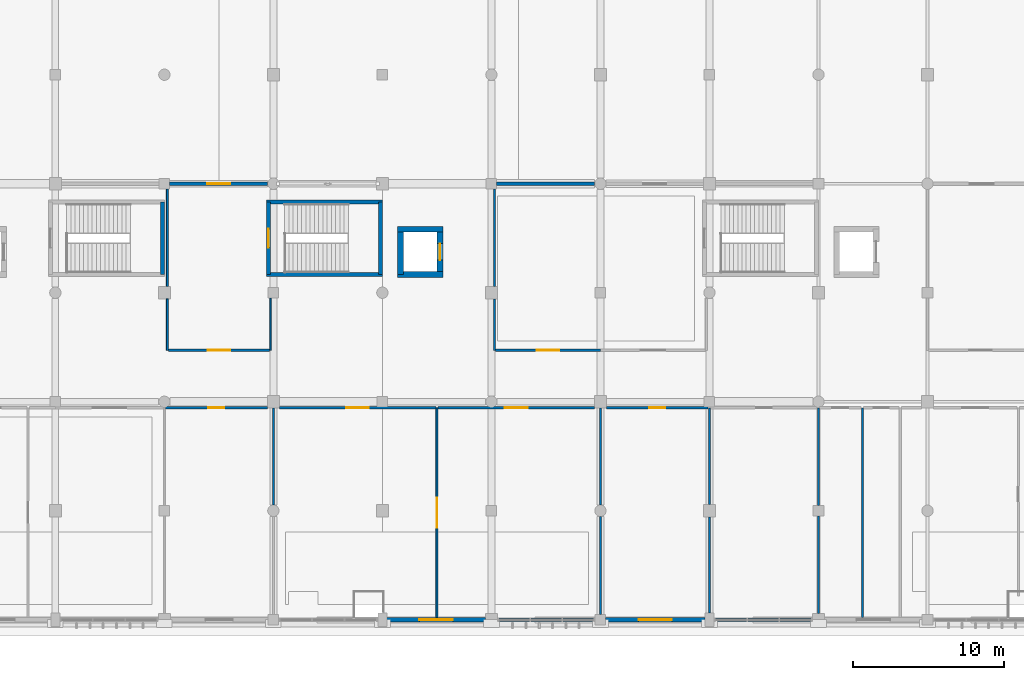
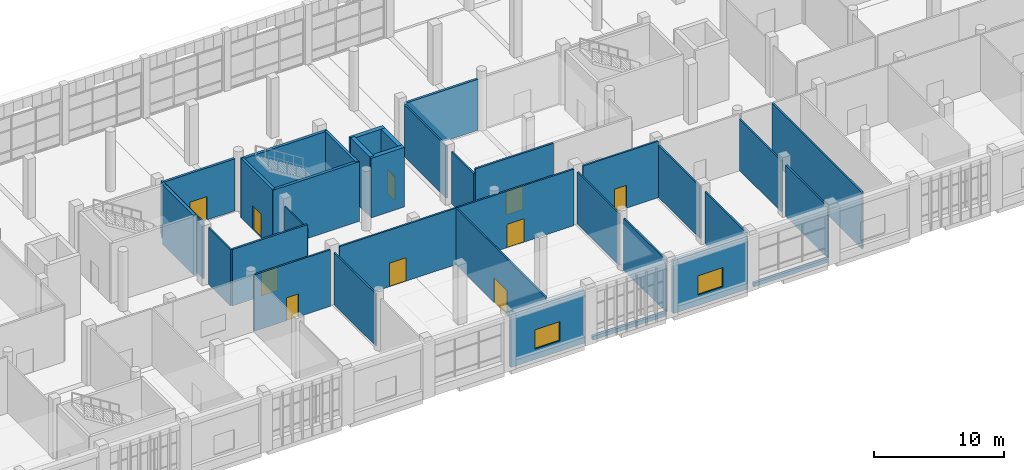
# One storey, part 53 of 80: 35 walls, 10 doors, 2 windows, 12 openings.
"""IFC4 building model written with IfcOpenShell, lengths in metres."""

from ifc_helpers import new_model, si_unit, direction, frame, frame_2d, origin, place, context, subcontext, project, spatial, rectangle, extrude, material, layer, layer_set, type_object, element, fill, save


model = new_model("IFC4")

# Units and contexts
model_context = context("Model", 3, precision=1e-05, world=origin(), true_north=direction((0.0, 1.0)))
body_context = subcontext(model_context, "Body", "Model", "MODEL_VIEW")
ifc_project = project(units=[si_unit("LENGTHUNIT", "METRE"), si_unit("AREAUNIT", "SQUARE_METRE"), si_unit("VOLUMEUNIT", "CUBIC_METRE"), si_unit("PLANEANGLEUNIT", "RADIAN"), si_unit("MASSUNIT", "GRAM", prefix="KILO")], contexts=[model_context])

# Site, building, storey
site_placement = place(None, origin())
site = spatial("IfcSite", under=ifc_project, at=site_placement, CompositionType="ELEMENT")
building_placement = place(site_placement, origin())
building = spatial("IfcBuilding", under=site, at=building_placement, Name="Sardonyx Promenade Sports Hall", CompositionType="ELEMENT")
storey_placement = place(building_placement, frame((0.0, 0.0, 5.60009765625)))
storey = spatial("IfcBuildingStorey", under=building, at=storey_placement, Name="L01", CompositionType="ELEMENT", Elevation=5.60009765625)

# Wall, opening, door
ifc_material_1 = material(Name="Concrete C40/50", Category="concrete")
ifc_layer_1 = layer(ifc_material_1, 0.3798828125)
ifc_layer_set_1 = layer_set([ifc_layer_1], Name="Wall_Core_Shear_380")
wall_type_1 = type_object("IfcWallType", Name="Wall_Core_Shear_380", PredefinedType="SHEAR", material=ifc_layer_set_1)
wall_1_placement = place(storey_placement, frame((83.0, 22.800048828125, 0.0), z_axis=(0.0, 0.0, 1.0), x_axis=(0.0, 1.0, 0.0)))
wall_1 = element("IfcWall", 1, at=wall_1_placement, inside=storey, type_object=wall_type_1, Name="Lift shaft wall LF2 L01 E", PredefinedType="SHEAR", context=body_context, shape_type="SweptSolid", body=[
    extrude(rectangle(XDim=3.0, YDim=0.3798828125, at=frame_2d((1.5, 0.0))), origin(), (0.0, 0.0, 1.0), 5.599853515625),
])
opening_1_placement = place(wall_1_placement, frame((0.949951171875, 0.0, 0.0)))
opening_1 = element("IfcOpeningElement", 2, at=opening_1_placement, cuts=wall_1, Name="Opening LD01", PredefinedType="OPENING", context=body_context, shape_type="SweptSolid", body=[
    extrude(rectangle(XDim=1.10009765625, YDim=2.199951171875, at=frame_2d((0.550048828125, 1.10009765625))), frame((0.0, 0.2, 0.0), z_axis=(0.0, -1.0, 0.0), x_axis=(1.0, 0.0, 0.0)), (0.0, 0.0, 1.0), 0.4),
])
ifc_material_2 = material(Name="Fire-rated stainless steel sliding lift door", Category="steel")
door_type_1 = type_object("IfcDoorType", Name="Door_Lift_Pass_110x220", OperationType="NOTDEFINED", PredefinedType="DOOR", material=ifc_material_2)
door_1_placement = place(opening_1_placement, origin())
door_1 = element("IfcDoor", 3, at=door_1_placement, inside=storey, type_object=door_type_1, Name="Lift landing sliding door LD-LF2-L01", OperationType="SLIDING_TO_LEFT", OverallHeight=2.199951171875, OverallWidth=1.10009765625, PredefinedType="DOOR", context=body_context, shape_type="SweptSolid", body=[
    extrude(rectangle(XDim=1.10009765625, YDim=2.199951171875, at=frame_2d((0.550048828125, 1.10009765625))), frame((0.0, 0.02490234375, 0.0), z_axis=(0.0, -1.0, 0.0), x_axis=(1.0, 0.0, 0.0)), (0.0, 0.0, 1.0), 0.050048828125),
])
fill(opening_1, door_1)

# Walls
wall_2_placement = place(storey_placement, frame((80.2099609375, 25.800048828125, 0.0), z_axis=(0.0, 0.0, 1.0), x_axis=(1.0, 0.0, 0.0)))
element("IfcWall", 4, at=wall_2_placement, inside=storey, type_object=wall_type_1, Name="Lift shaft wall LF2 L01 N", PredefinedType="SHEAR", context=body_context, shape_type="SweptSolid", body=[
    extrude(rectangle(XDim=2.97998046875, YDim=0.3798828125, at=frame_2d((1.489990234375, 0.0))), origin(), (0.0, 0.0, 1.0), 5.599853515625),
])
wall_3_placement = place(storey_placement, frame((80.39990234375, 25.800048828125, 0.0), z_axis=(0.0, 0.0, 1.0), x_axis=(0.0, -1.0, 0.0)))
element("IfcWall", 5, at=wall_3_placement, inside=storey, type_object=wall_type_1, Name="Lift shaft wall LF2 L01 W", PredefinedType="SHEAR", context=body_context, shape_type="SweptSolid", body=[
    extrude(rectangle(XDim=3.0, YDim=0.3798828125, at=frame_2d((1.5, 0.0))), origin(), (0.0, 0.0, 1.0), 5.599853515625),
])
wall_4_placement = place(storey_placement, frame((83.18994140625, 22.800048828125, 0.0), z_axis=(0.0, 0.0, 1.0), x_axis=(-1.0, 0.0, 0.0)))
element("IfcWall", 6, at=wall_4_placement, inside=storey, type_object=wall_type_1, Name="Lift shaft wall LF2 L01 S", PredefinedType="SHEAR", context=body_context, shape_type="SweptSolid", body=[
    extrude(rectangle(XDim=2.97998046875, YDim=0.3798828125, at=frame_2d((1.489990234375, 0.0))), origin(), (0.0, 0.0, 1.0), 5.599853515625),
])
ifc_material_3 = material(Name="Masonry CMU 15 MPa", Category="masonry")
ifc_layer_2 = layer(ifc_material_3, 0.239990234375)
ifc_layer_set_2 = layer_set([ifc_layer_2], Name="Wall_Ext_Spandrel_240")
wall_type_2 = type_object("IfcWallType", Name="Wall_Ext_Spandrel_240", PredefinedType="SOLIDWALL", material=ifc_layer_set_2)
wall_5_placement = place(storey_placement, frame((107.614990234375, 0.0, 0.0), z_axis=(0.0, 0.0, 1.0), x_axis=(-1.0, 0.0, 0.0)))
element("IfcWall", 7, at=wall_5_placement, inside=storey, type_object=wall_type_2, Name="Curtain-wall sill spandrel L01 #39", PredefinedType="SOLIDWALL", context=body_context, shape_type="SweptSolid", body=[
    extrude(rectangle(XDim=6.530029296875, YDim=0.239990234375, at=frame_2d((3.26513671875, 0.0))), origin(), (0.0, 0.0, 1.0), 0.349853515625),
])
wall_6_placement = place(storey_placement, frame((93.264892578125, 0.0, 0.0), z_axis=(0.0, 0.0, 1.0), x_axis=(-1.0, 0.0, 0.0)))
element("IfcWall", 8, at=wall_6_placement, inside=storey, type_object=wall_type_2, Name="Curtain-wall sill spandrel L01 #41", PredefinedType="SOLIDWALL", context=body_context, shape_type="SweptSolid", body=[
    extrude(rectangle(XDim=6.47998046875, YDim=0.239990234375, at=frame_2d((3.239990234375, 0.0))), origin(), (0.0, 0.0, 1.0), 0.349853515625),
])

# Wall, opening, window
ifc_material_4 = material(Name="Concrete C40/50", Category="concrete")
ifc_layer_3 = layer(ifc_material_4, 0.280029296875)
ifc_layer_set_3 = layer_set([ifc_layer_3], Name="Wall_Ext_Wing_280")
wall_type_3 = type_object("IfcWallType", Name="Wall_Ext_Wing_280", PredefinedType="SOLIDWALL", material=ifc_layer_set_3)
wall_7_placement = place(storey_placement, frame((100.514892578125, 0.0, 0.0), z_axis=(0.0, 0.0, 1.0), x_axis=(-1.0, 0.0, 0.0)))
wall_7 = element("IfcWall", 9, at=wall_7_placement, inside=storey, type_object=wall_type_3, Name="Exterior wall EW02 L01 #40", PredefinedType="SOLIDWALL", context=body_context, shape_type="SweptSolid", body=[
    extrude(rectangle(XDim=6.579833984375, YDim=0.280029296875, at=frame_2d((3.2900390625, 0.0))), origin(), (0.0, 0.0, 1.0), 4.98486328125),
])
opening_2_placement = place(wall_7_placement, frame((2.18994140625, 0.0, 1.0)))
opening_2 = element("IfcOpeningElement", 10, at=opening_2_placement, cuts=wall_7, Name="Opening W13", PredefinedType="OPENING", context=body_context, shape_type="SweptSolid", body=[
    extrude(rectangle(XDim=2.199951171875, YDim=1.800048828125, at=frame_2d((1.10009765625, 0.89990234375))), frame((0.0, 0.15, 0.0), z_axis=(0.0, -1.0, 0.0), x_axis=(1.0, 0.0, 0.0)), (0.0, 0.0, 1.0), 0.3),
])
ifc_material_5 = material(Name="Double-glazed solar low-E aluminium window", Category="aluminium")
window_type = type_object("IfcWindowType", Name="Win_Clinic_220x180", PartitioningType="DOUBLE_PANEL_VERTICAL", PredefinedType="WINDOW", material=ifc_material_5)
window_1_placement = place(opening_2_placement, origin())
window_1 = element("IfcWindow", 11, at=window_1_placement, inside=storey, type_object=window_type, Name="Facade window W13 L01 #13", OverallHeight=1.800048828125, OverallWidth=2.199951171875, PartitioningType="SINGLE_PANEL", PredefinedType="WINDOW", context=body_context, shape_type="SweptSolid", body=[
    extrude(rectangle(XDim=2.199951171875, YDim=1.800048828125, at=frame_2d((1.10009765625, 0.89990234375))), frame((0.0, 0.030029296875, 0.0), z_axis=(0.0, -1.0, 0.0), x_axis=(1.0, 0.0, 0.0)), (0.0, 0.0, 1.0), 0.06005859375),
])
fill(opening_2, window_1)

wall_8_placement = place(storey_placement, frame((86.014892578125, 0.0, 0.0), z_axis=(0.0, 0.0, 1.0), x_axis=(-1.0, 0.0, 0.0)))
wall_8 = element("IfcWall", 12, at=wall_8_placement, inside=storey, type_object=wall_type_3, Name="Exterior wall EW02 L01 #42", PredefinedType="SOLIDWALL", context=body_context, shape_type="SweptSolid", body=[
    extrude(rectangle(XDim=6.52978515625, YDim=0.280029296875, at=frame_2d((3.264892578125, 0.0))), origin(), (0.0, 0.0, 1.0), 4.98486328125),
])
opening_3_placement = place(wall_8_placement, frame((2.1650390625, 0.0, 1.0)))
opening_3 = element("IfcOpeningElement", 13, at=opening_3_placement, cuts=wall_8, Name="Opening W13", PredefinedType="OPENING", context=body_context, shape_type="SweptSolid", body=[
    extrude(rectangle(XDim=2.199951171875, YDim=1.800048828125, at=frame_2d((1.10009765625, 0.89990234375))), frame((0.0, 0.15, 0.0), z_axis=(0.0, -1.0, 0.0), x_axis=(1.0, 0.0, 0.0)), (0.0, 0.0, 1.0), 0.3),
])
window_2_placement = place(opening_3_placement, origin())
window_2 = element("IfcWindow", 14, at=window_2_placement, inside=storey, type_object=window_type, Name="Facade window W13 L01 #14", OverallHeight=1.800048828125, OverallWidth=2.199951171875, PartitioningType="SINGLE_PANEL", PredefinedType="WINDOW", context=body_context, shape_type="SweptSolid", body=[
    extrude(rectangle(XDim=2.199951171875, YDim=1.800048828125, at=frame_2d((1.10009765625, 0.89990234375))), frame((0.0, 0.030029296875, 0.0), z_axis=(0.0, -1.0, 0.0), x_axis=(1.0, 0.0, 0.0)), (0.0, 0.0, 1.0), 0.06005859375),
])
fill(opening_3, window_2)

# Wall, opening, door
ifc_material_6 = material(Name="Twin-stud acoustic gypsum partition", Category="gypsum")
ifc_layer_4 = layer(ifc_material_6, 0.169921875)
ifc_layer_set_4 = layer_set([ifc_layer_4], Name="Wall_Part_Acoust_170")
wall_type_4 = type_object("IfcWallType", Name="Wall_Part_Acoust_170", PredefinedType="PARTITIONING", material=ifc_layer_set_4)
wall_9_placement = place(storey_placement, frame((65.070068359375, 17.800048828125, 0.0), z_axis=(0.0, 0.0, 1.0), x_axis=(1.0, 0.0, 0.0)))
wall_9 = element("IfcWall", 15, at=wall_9_placement, inside=storey, type_object=wall_type_4, Name="Interior partition PW06 L01 #230", PredefinedType="PARTITIONING", context=body_context, shape_type="SweptSolid", body=[
    extrude(rectangle(XDim=6.669921875, YDim=0.169921875, at=frame_2d((3.3349609375, 0.0))), origin(), (0.0, 0.0, 1.0), 5.309814453125),
])
opening_4_placement = place(wall_9_placement, frame((2.5849609375, 0.0, 0.0)))
opening_4 = element("IfcOpeningElement", 16, at=opening_4_placement, cuts=wall_9, Name="Opening ID10", PredefinedType="OPENING", context=body_context, shape_type="SweptSolid", body=[
    extrude(rectangle(XDim=1.5, YDim=2.199951171875, at=frame_2d((0.75, 1.10009765625))), frame((0.0, 0.095, 0.0), z_axis=(0.0, -1.0, 0.0), x_axis=(1.0, 0.0, 0.0)), (0.0, 0.0, 1.0), 0.19),
])
ifc_material_7 = material(Name="Double studio entrance fire door FD30S", Category="wood")
door_type_2 = type_object("IfcDoorType", Name="Door_Corr_FD30_150x220", OperationType="NOTDEFINED", PredefinedType="DOOR", material=ifc_material_7)
door_2_placement = place(opening_4_placement, origin())
door_2 = element("IfcDoor", 17, at=door_2_placement, inside=storey, type_object=door_type_2, Name="Interior door D01-071", OperationType="DOUBLE_DOOR_SINGLE_SWING", OverallHeight=2.199951171875, OverallWidth=1.5, PredefinedType="DOOR", context=body_context, shape_type="SweptSolid", body=[
    extrude(rectangle(XDim=1.5, YDim=2.199951171875, at=frame_2d((0.75, 1.10009765625))), frame((0.0, 0.02490234375, 0.0), z_axis=(0.0, -1.0, 0.0), x_axis=(1.0, 0.0, 0.0)), (0.0, 0.0, 1.0), 0.050048828125),
])
fill(opening_4, door_2)

wall_10_placement = place(storey_placement, frame((86.679931640625, 17.800048828125, 0.0), z_axis=(0.0, 0.0, 1.0), x_axis=(1.0, 0.0, 0.0)))
wall_10 = element("IfcWall", 18, at=wall_10_placement, inside=storey, type_object=wall_type_4, Name="Interior partition PW06 L01 #231", PredefinedType="PARTITIONING", context=body_context, shape_type="SweptSolid", body=[
    extrude(rectangle(XDim=6.920166015625, YDim=0.169921875, at=frame_2d((3.4599609375, 0.0))), origin(), (0.0, 0.0, 1.0), 5.309814453125),
])
opening_5_placement = place(wall_10_placement, frame((2.7099609375, 0.0, 0.0)))
opening_5 = element("IfcOpeningElement", 19, at=opening_5_placement, cuts=wall_10, Name="Opening ID10", PredefinedType="OPENING", context=body_context, shape_type="SweptSolid", body=[
    extrude(rectangle(XDim=1.5, YDim=2.199951171875, at=frame_2d((0.75, 1.10009765625))), frame((0.0, 0.095, 0.0), z_axis=(0.0, -1.0, 0.0), x_axis=(1.0, 0.0, 0.0)), (0.0, 0.0, 1.0), 0.19),
])
door_3_placement = place(opening_5_placement, origin())
door_3 = element("IfcDoor", 20, at=door_3_placement, inside=storey, type_object=door_type_2, Name="Interior door D01-072", OperationType="DOUBLE_DOOR_SINGLE_SWING", OverallHeight=2.199951171875, OverallWidth=1.5, PredefinedType="DOOR", context=body_context, shape_type="SweptSolid", body=[
    extrude(rectangle(XDim=1.5, YDim=2.199951171875, at=frame_2d((0.75, 1.10009765625))), frame((0.0, 0.02490234375, 0.0), z_axis=(0.0, -1.0, 0.0), x_axis=(1.0, 0.0, 0.0)), (0.0, 0.0, 1.0), 0.050048828125),
])
fill(opening_5, door_3)

ifc_material_8 = material(Name="Masonry CMU 15 MPa", Category="masonry")
ifc_layer_5 = layer(ifc_material_8, 0.2099609375)
ifc_layer_set_5 = layer_set([ifc_layer_5], Name="Wall_Part_Block_210")
wall_type_5 = type_object("IfcWallType", Name="Wall_Part_Block_210", PredefinedType="PARTITIONING", material=ifc_layer_set_5)
wall_11_placement = place(storey_placement, frame((65.14990234375, 28.800048828125, 0.0), z_axis=(0.0, 0.0, 1.0), x_axis=(1.0, 0.0, 0.0)))
wall_11 = element("IfcWall", 21, at=wall_11_placement, inside=storey, type_object=wall_type_5, Name="Interior partition PW07 L01 #201", PredefinedType="PARTITIONING", context=body_context, shape_type="SweptSolid", body=[
    extrude(rectangle(XDim=6.47509765625, YDim=0.2099609375, at=frame_2d((3.237548828125, 0.0))), origin(), (0.0, 0.0, 1.0), 4.8798828125),
])
opening_6_placement = place(wall_11_placement, frame((2.487548828125, 0.0, 0.0)))
opening_6 = element("IfcOpeningElement", 22, at=opening_6_placement, cuts=wall_11, Name="Opening ID10", PredefinedType="OPENING", context=body_context, shape_type="SweptSolid", body=[
    extrude(rectangle(XDim=1.5, YDim=2.199951171875, at=frame_2d((0.75, 1.10009765625))), frame((0.0, 0.115, 0.0), z_axis=(0.0, -1.0, 0.0), x_axis=(1.0, 0.0, 0.0)), (0.0, 0.0, 1.0), 0.23),
])
door_4_placement = place(opening_6_placement, origin())
door_4 = element("IfcDoor", 23, at=door_4_placement, inside=storey, type_object=door_type_2, Name="Interior door D01-052", OperationType="DOUBLE_DOOR_SINGLE_SWING", OverallHeight=2.199951171875, OverallWidth=1.5, PredefinedType="DOOR", context=body_context, shape_type="SweptSolid", body=[
    extrude(rectangle(XDim=1.5, YDim=2.199951171875, at=frame_2d((0.75, 1.10009765625))), frame((0.0, 0.02490234375, 0.0), z_axis=(0.0, -1.0, 0.0), x_axis=(1.0, 0.0, 0.0)), (0.0, 0.0, 1.0), 0.050048828125),
])
fill(opening_6, door_4)

# Walls
wall_12_placement = place(storey_placement, frame((86.75, 28.800048828125, 0.0), z_axis=(0.0, 0.0, 1.0), x_axis=(1.0, 0.0, 0.0)))
element("IfcWall", 24, at=wall_12_placement, inside=storey, type_object=wall_type_5, Name="Interior partition PW07 L01 #202", PredefinedType="PARTITIONING", context=body_context, shape_type="SweptSolid", body=[
    extrude(rectangle(XDim=6.47509765625, YDim=0.2099609375, at=frame_2d((3.237548828125, 0.0))), origin(), (0.0, 0.0, 1.0), 4.77978515625),
])
ifc_material_9 = material(Name="Hygienic clinical stud partition", Category="gypsum")
ifc_layer_6 = layer(ifc_material_9, 0.1201171875)
ifc_layer_set_6 = layer_set([ifc_layer_6], Name="Wall_Part_Clinic_120")
wall_type_6 = type_object("IfcWallType", Name="Wall_Part_Clinic_120", PredefinedType="PARTITIONING", material=ifc_layer_set_6)
wall_13_placement = place(storey_placement, frame((65.0, 17.800048828125, 0.0), z_axis=(0.0, 0.0, 1.0), x_axis=(0.0, 1.0, 0.0)))
element("IfcWall", 25, at=wall_13_placement, inside=storey, type_object=wall_type_6, Name="Interior partition PW02 L01 #182", PredefinedType="PARTITIONING", context=body_context, shape_type="SweptSolid", body=[
    extrude(rectangle(XDim=3.39990234375, YDim=0.1201171875, at=frame_2d((1.699951171875, 0.0))), origin(), (0.0, 0.0, 1.0), 5.309814453125),
])
wall_14_placement = place(storey_placement, frame((65.0, 22.0, 0.0), z_axis=(0.0, 0.0, 1.0), x_axis=(0.0, 1.0, 0.0)))
element("IfcWall", 26, at=wall_14_placement, inside=storey, type_object=wall_type_6, Name="Interior partition PW02 L01 #183", PredefinedType="PARTITIONING", context=body_context, shape_type="SweptSolid", body=[
    extrude(rectangle(XDim=6.449951171875, YDim=0.1201171875, at=frame_2d((3.22509765625, 0.0))), origin(), (0.0, 0.0, 1.0), 5.309814453125),
])

# Wall, opening, door
ifc_material_10 = material(Name="Fire-rated stud gypsum partition", Category="gypsum")
ifc_layer_7 = layer(ifc_material_10, 0.14990234375)
ifc_layer_set_7 = layer_set([ifc_layer_7], Name="Wall_Part_Corridor_150")
wall_type_7 = type_object("IfcWallType", Name="Wall_Part_Corridor_150", PredefinedType="PARTITIONING", material=ifc_layer_set_7)
wall_15_placement = place(storey_placement, frame((64.860107421875, 14.0, 0.0), z_axis=(0.0, 0.0, 1.0), x_axis=(1.0, 0.0, 0.0)))
wall_15 = element("IfcWall", 27, at=wall_15_placement, inside=storey, type_object=wall_type_7, Name="Interior partition PW04 L01 #215", PredefinedType="PARTITIONING", context=body_context, shape_type="SweptSolid", body=[
    extrude(rectangle(XDim=6.739990234375, YDim=0.14990234375, at=frame_2d((3.3701171875, 0.0))), origin(), (0.0, 0.0, 1.0), 5.309814453125),
])
opening_7_placement = place(wall_15_placement, frame((2.844970703125, 0.0, 0.0)))
opening_7 = element("IfcOpeningElement", 28, at=opening_7_placement, cuts=wall_15, Name="Opening ID07", PredefinedType="OPENING", context=body_context, shape_type="SweptSolid", body=[
    extrude(rectangle(XDim=1.050048828125, YDim=2.14990234375, at=frame_2d((0.52490234375, 1.074951171875))), frame((0.0, 0.085, 0.0), z_axis=(0.0, -1.0, 0.0), x_axis=(1.0, 0.0, 0.0)), (0.0, 0.0, 1.0), 0.17),
])
ifc_material_11 = material(Name="Hardwood accessible fire door FD30S", Category="wood")
door_type_3 = type_object("IfcDoorType", Name="Door_Corr_FD30_105x215", OperationType="NOTDEFINED", PredefinedType="DOOR", material=ifc_material_11)
door_5_placement = place(opening_7_placement, origin())
door_5 = element("IfcDoor", 29, at=door_5_placement, inside=storey, type_object=door_type_3, Name="Interior door D01-058", OperationType="SINGLE_SWING_RIGHT", OverallHeight=2.14990234375, OverallWidth=1.050048828125, PredefinedType="DOOR", context=body_context, shape_type="SweptSolid", body=[
    extrude(rectangle(XDim=1.050048828125, YDim=2.14990234375, at=frame_2d((0.52490234375, 1.074951171875))), frame((0.0, 0.02490234375, 0.0), z_axis=(0.0, -1.0, 0.0), x_axis=(1.0, 0.0, 0.0)), (0.0, 0.0, 1.0), 0.050048828125),
])
fill(opening_7, door_5)

wall_16_placement = place(storey_placement, frame((72.39990234375, 14.0, 0.0), z_axis=(0.0, 0.0, 1.0), x_axis=(1.0, 0.0, 0.0)))
wall_16 = element("IfcWall", 30, at=wall_16_placement, inside=storey, type_object=wall_type_7, Name="Interior partition PW04 L01 #216", PredefinedType="PARTITIONING", context=body_context, shape_type="SweptSolid", body=[
    extrude(rectangle(XDim=10.3251953125, YDim=0.14990234375, at=frame_2d((5.16259765625, 0.0))), origin(), (0.0, 0.0, 1.0), 5.309814453125),
])
opening_8_placement = place(wall_16_placement, frame((4.41259765625, 0.0, 0.0)))
opening_8 = element("IfcOpeningElement", 31, at=opening_8_placement, cuts=wall_16, Name="Opening ID10", PredefinedType="OPENING", context=body_context, shape_type="SweptSolid", body=[
    extrude(rectangle(XDim=1.5, YDim=2.199951171875, at=frame_2d((0.75, 1.10009765625))), frame((0.0, 0.085, 0.0), z_axis=(0.0, -1.0, 0.0), x_axis=(1.0, 0.0, 0.0)), (0.0, 0.0, 1.0), 0.17),
])
door_6_placement = place(opening_8_placement, origin())
door_6 = element("IfcDoor", 32, at=door_6_placement, inside=storey, type_object=door_type_2, Name="Interior door D01-059", OperationType="DOUBLE_DOOR_SINGLE_SWING", OverallHeight=2.199951171875, OverallWidth=1.5, PredefinedType="DOOR", context=body_context, shape_type="SweptSolid", body=[
    extrude(rectangle(XDim=1.5, YDim=2.199951171875, at=frame_2d((0.75, 1.10009765625))), frame((0.0, 0.02490234375, 0.0), z_axis=(0.0, -1.0, 0.0), x_axis=(1.0, 0.0, 0.0)), (0.0, 0.0, 1.0), 0.050048828125),
])
fill(opening_8, door_6)

wall_17_placement = place(storey_placement, frame((82.875, 14.0, 0.0), z_axis=(0.0, 0.0, 1.0), x_axis=(1.0, 0.0, 0.0)))
wall_17 = element("IfcWall", 33, at=wall_17_placement, inside=storey, type_object=wall_type_7, Name="Interior partition PW04 L01 #217", PredefinedType="PARTITIONING", context=body_context, shape_type="SweptSolid", body=[
    extrude(rectangle(XDim=10.324951171875, YDim=0.14990234375, at=frame_2d((5.16259765625, 0.0))), origin(), (0.0, 0.0, 1.0), 5.309814453125),
])
opening_9_placement = place(wall_17_placement, frame((4.41259765625, 0.0, 0.0)))
opening_9 = element("IfcOpeningElement", 34, at=opening_9_placement, cuts=wall_17, Name="Opening ID10", PredefinedType="OPENING", context=body_context, shape_type="SweptSolid", body=[
    extrude(rectangle(XDim=1.5, YDim=2.199951171875, at=frame_2d((0.75, 1.10009765625))), frame((0.0, 0.085, 0.0), z_axis=(0.0, -1.0, 0.0), x_axis=(1.0, 0.0, 0.0)), (0.0, 0.0, 1.0), 0.17),
])
door_7_placement = place(opening_9_placement, origin())
door_7 = element("IfcDoor", 35, at=door_7_placement, inside=storey, type_object=door_type_2, Name="Interior door D01-060", OperationType="DOUBLE_DOOR_SINGLE_SWING", OverallHeight=2.199951171875, OverallWidth=1.5, PredefinedType="DOOR", context=body_context, shape_type="SweptSolid", body=[
    extrude(rectangle(XDim=1.5, YDim=2.199951171875, at=frame_2d((0.75, 1.10009765625))), frame((0.0, 0.02490234375, 0.0), z_axis=(0.0, -1.0, 0.0), x_axis=(1.0, 0.0, 0.0)), (0.0, 0.0, 1.0), 0.050048828125),
])
fill(opening_9, door_7)

wall_18_placement = place(storey_placement, frame((94.0, 14.0, 0.0), z_axis=(0.0, 0.0, 1.0), x_axis=(1.0, 0.0, 0.0)))
wall_18 = element("IfcWall", 36, at=wall_18_placement, inside=storey, type_object=wall_type_7, Name="Interior partition PW04 L01 #218", PredefinedType="PARTITIONING", context=body_context, shape_type="SweptSolid", body=[
    extrude(rectangle(XDim=6.719970703125, YDim=0.14990234375, at=frame_2d((3.35986328125, 0.0))), origin(), (0.0, 0.0, 1.0), 5.309814453125),
])
opening_10_placement = place(wall_18_placement, frame((2.8349609375, 0.0, 0.0)))
opening_10 = element("IfcOpeningElement", 37, at=opening_10_placement, cuts=wall_18, Name="Opening ID07", PredefinedType="OPENING", context=body_context, shape_type="SweptSolid", body=[
    extrude(rectangle(XDim=1.050048828125, YDim=2.14990234375, at=frame_2d((0.52490234375, 1.074951171875))), frame((0.0, 0.085, 0.0), z_axis=(0.0, -1.0, 0.0), x_axis=(1.0, 0.0, 0.0)), (0.0, 0.0, 1.0), 0.17),
])
door_8_placement = place(opening_10_placement, origin())
door_8 = element("IfcDoor", 38, at=door_8_placement, inside=storey, type_object=door_type_3, Name="Interior door D01-061", OperationType="SINGLE_SWING_LEFT", OverallHeight=2.14990234375, OverallWidth=1.050048828125, PredefinedType="DOOR", context=body_context, shape_type="SweptSolid", body=[
    extrude(rectangle(XDim=1.050048828125, YDim=2.14990234375, at=frame_2d((0.52490234375, 1.074951171875))), frame((0.0, 0.02490234375, 0.0), z_axis=(0.0, -1.0, 0.0), x_axis=(1.0, 0.0, 0.0)), (0.0, 0.0, 1.0), 0.050048828125),
])
fill(opening_10, door_8)

# Wall
ifc_material_12 = material(Name="Lightweight steel-stud partition", Category="steel")
ifc_layer_8 = layer(ifc_material_12, 0.10009765625)
ifc_layer_set_8 = layer_set([ifc_layer_8], Name="Wall_Part_Light_100")
wall_type_8 = type_object("IfcWallType", Name="Wall_Part_Light_100", PredefinedType="PARTITIONING", material=ifc_layer_set_8)
wall_19_placement = place(storey_placement, frame((71.800048828125, 17.800048828125, 0.0), z_axis=(0.0, 0.0, 1.0), x_axis=(0.0, 1.0, 0.0)))
element("IfcWall", 39, at=wall_19_placement, inside=storey, type_object=wall_type_8, Name="Interior partition PW01 L01 #184", PredefinedType="PARTITIONING", context=body_context, shape_type="SweptSolid", body=[
    extrude(rectangle(XDim=3.449951171875, YDim=0.10009765625, at=frame_2d((1.72509765625, 0.0))), origin(), (0.0, 0.0, 1.0), 4.8798828125),
])

# Wall, opening, door
ifc_material_13 = material(Name="Acoustic sports stud partition", Category="gypsum")
ifc_layer_9 = layer(ifc_material_13, 0.1298828125)
ifc_layer_set_9 = layer_set([ifc_layer_9], Name="Wall_Part_Studio_130")
wall_type_9 = type_object("IfcWallType", Name="Wall_Part_Studio_130", PredefinedType="PARTITIONING", material=ifc_layer_set_9)
wall_20_placement = place(storey_placement, frame((82.800048828125, 0.14990234375, 0.0), z_axis=(0.0, 0.0, 1.0), x_axis=(0.0, 1.0, 0.0)))
wall_20 = element("IfcWall", 40, at=wall_20_placement, inside=storey, type_object=wall_type_9, Name="Interior partition PW05 L01 #171", PredefinedType="PARTITIONING", context=body_context, shape_type="SweptSolid", body=[
    extrude(rectangle(XDim=13.85009765625, YDim=0.1298828125, at=frame_2d((6.925048828125, 0.0))), origin(), (0.0, 0.0, 1.0), 5.309814453125),
])
opening_11_placement = place(wall_20_placement, frame((5.925048828125, 0.0, 0.0)))
opening_11 = element("IfcOpeningElement", 41, at=opening_11_placement, cuts=wall_20, Name="Opening ID06", PredefinedType="OPENING", context=body_context, shape_type="SweptSolid", body=[
    extrude(rectangle(XDim=2.0, YDim=2.300048828125, at=frame_2d((1.0, 1.14990234375))), frame((0.0, 0.075, 0.0), z_axis=(0.0, -1.0, 0.0), x_axis=(1.0, 0.0, 0.0)), (0.0, 0.0, 1.0), 0.15),
])
ifc_material_14 = material(Name="Glazed studio acoustic double door", Category="aluminium")
door_type_4 = type_object("IfcDoorType", Name="Door_Suite_200x230", OperationType="NOTDEFINED", PredefinedType="DOOR", material=ifc_material_14)
door_9_placement = place(opening_11_placement, origin())
door_9 = element("IfcDoor", 42, at=door_9_placement, inside=storey, type_object=door_type_4, Name="Interior door D01-047", OperationType="DOUBLE_DOOR_SINGLE_SWING", OverallHeight=2.300048828125, OverallWidth=2.0, PredefinedType="DOOR", context=body_context, shape_type="SweptSolid", body=[
    extrude(rectangle(XDim=2.0, YDim=2.300048828125, at=frame_2d((1.0, 1.14990234375))), frame((0.0, 0.02490234375, 0.0), z_axis=(0.0, -1.0, 0.0), x_axis=(1.0, 0.0, 0.0)), (0.0, 0.0, 1.0), 0.050048828125),
])
fill(opening_11, door_9)

# Walls
ifc_material_15 = material(Name="Moisture-resistant masonry partition", Category="masonry")
ifc_layer_10 = layer(ifc_material_15, 0.139892578125)
ifc_layer_set_10 = layer_set([ifc_layer_10], Name="Wall_Part_Wet_140")
wall_type_10 = type_object("IfcWallType", Name="Wall_Part_Wet_140", PredefinedType="PARTITIONING", material=ifc_layer_set_10)
wall_21_placement = place(storey_placement, frame((72.0, 7.574951171875, 0.0), z_axis=(0.0, 0.0, 1.0), x_axis=(0.0, 1.0, 0.0)))
element("IfcWall", 43, at=wall_21_placement, inside=storey, type_object=wall_type_10, Name="Interior partition PW08 L01 #156", PredefinedType="PARTITIONING", context=body_context, shape_type="SweptSolid", body=[
    extrude(rectangle(XDim=6.425048828125, YDim=0.139892578125, at=frame_2d((3.21240234375, 0.0))), origin(), (0.0, 0.0, 1.0), 4.8798828125),
])
wall_22_placement = place(storey_placement, frame((93.60009765625, 0.35009765625, 0.0), z_axis=(0.0, 0.0, 1.0), x_axis=(0.0, 1.0, 0.0)))
element("IfcWall", 44, at=wall_22_placement, inside=storey, type_object=wall_type_10, Name="Interior partition PW08 L01 #157", PredefinedType="PARTITIONING", context=body_context, shape_type="SweptSolid", body=[
    extrude(rectangle(XDim=6.474853515625, YDim=0.139892578125, at=frame_2d((3.2373046875, 0.0))), origin(), (0.0, 0.0, 1.0), 4.8798828125),
])
wall_23_placement = place(storey_placement, frame((93.60009765625, 7.574951171875, 0.0), z_axis=(0.0, 0.0, 1.0), x_axis=(0.0, 1.0, 0.0)))
element("IfcWall", 45, at=wall_23_placement, inside=storey, type_object=wall_type_10, Name="Interior partition PW08 L01 #158", PredefinedType="PARTITIONING", context=body_context, shape_type="SweptSolid", body=[
    extrude(rectangle(XDim=6.425048828125, YDim=0.139892578125, at=frame_2d((3.21240234375, 0.0))), origin(), (0.0, 0.0, 1.0), 4.8798828125),
])
wall_24_placement = place(storey_placement, frame((100.800048828125, 0.449951171875, 0.0), z_axis=(0.0, 0.0, 1.0), x_axis=(0.0, 1.0, 0.0)))
element("IfcWall", 46, at=wall_24_placement, inside=storey, type_object=wall_type_10, Name="Interior partition PW08 L01 #159", PredefinedType="PARTITIONING", context=body_context, shape_type="SweptSolid", body=[
    extrude(rectangle(XDim=6.35009765625, YDim=0.139892578125, at=frame_2d((3.175048828125, 0.0))), origin(), (0.0, 0.0, 1.0), 4.8798828125),
])
wall_25_placement = place(storey_placement, frame((100.800048828125, 7.60009765625, 0.0), z_axis=(0.0, 0.0, 1.0), x_axis=(0.0, 1.0, 0.0)))
element("IfcWall", 47, at=wall_25_placement, inside=storey, type_object=wall_type_10, Name="Interior partition PW08 L01 #160", PredefinedType="PARTITIONING", context=body_context, shape_type="SweptSolid", body=[
    extrude(rectangle(XDim=6.39990234375, YDim=0.139892578125, at=frame_2d((3.199951171875, 0.0))), origin(), (0.0, 0.0, 1.0), 4.8798828125),
])
wall_26_placement = place(storey_placement, frame((108.0, 0.39990234375, 0.0), z_axis=(0.0, 0.0, 1.0), x_axis=(0.0, 1.0, 0.0)))
element("IfcWall", 48, at=wall_26_placement, inside=storey, type_object=wall_type_10, Name="Interior partition PW08 L01 #161", PredefinedType="PARTITIONING", context=body_context, shape_type="SweptSolid", body=[
    extrude(rectangle(XDim=6.4501953125, YDim=0.139892578125, at=frame_2d((3.22509765625, 0.0))), origin(), (0.0, 0.0, 1.0), 4.809814453125),
])
wall_27_placement = place(storey_placement, frame((108.0, 7.550048828125, 0.0), z_axis=(0.0, 0.0, 1.0), x_axis=(0.0, 1.0, 0.0)))
element("IfcWall", 49, at=wall_27_placement, inside=storey, type_object=wall_type_10, Name="Interior partition PW08 L01 #162", PredefinedType="PARTITIONING", context=body_context, shape_type="SweptSolid", body=[
    extrude(rectangle(XDim=6.449951171875, YDim=0.139892578125, at=frame_2d((3.22509765625, 0.0))), origin(), (0.0, 0.0, 1.0), 4.809814453125),
])
wall_28_placement = place(storey_placement, frame((110.89990234375, 0.14990234375, 0.0), z_axis=(0.0, 0.0, 1.0), x_axis=(0.0, 1.0, 0.0)))
element("IfcWall", 50, at=wall_28_placement, inside=storey, type_object=wall_type_10, Name="Interior partition PW08 L01 #163", PredefinedType="PARTITIONING", context=body_context, shape_type="SweptSolid", body=[
    extrude(rectangle(XDim=13.85009765625, YDim=0.139892578125, at=frame_2d((6.925048828125, 0.0))), origin(), (0.0, 0.0, 1.0), 5.309814453125),
])
wall_29_placement = place(storey_placement, frame((86.60009765625, 17.800048828125, 0.0), z_axis=(0.0, 0.0, 1.0), x_axis=(0.0, 1.0, 0.0)))
element("IfcWall", 51, at=wall_29_placement, inside=storey, type_object=wall_type_10, Name="Interior partition PW08 L01 #185", PredefinedType="PARTITIONING", context=body_context, shape_type="SweptSolid", body=[
    extrude(rectangle(XDim=3.39990234375, YDim=0.139892578125, at=frame_2d((1.699951171875, 0.0))), origin(), (0.0, 0.0, 1.0), 4.8798828125),
])
wall_30_placement = place(storey_placement, frame((86.60009765625, 22.0, 0.0), z_axis=(0.0, 0.0, 1.0), x_axis=(0.0, 1.0, 0.0)))
element("IfcWall", 52, at=wall_30_placement, inside=storey, type_object=wall_type_10, Name="Interior partition PW08 L01 #186", PredefinedType="PARTITIONING", context=body_context, shape_type="SweptSolid", body=[
    extrude(rectangle(XDim=6.449951171875, YDim=0.139892578125, at=frame_2d((3.22509765625, 0.0))), origin(), (0.0, 0.0, 1.0), 4.8798828125),
])
ifc_material_16 = material(Name="Concrete C40/50", Category="concrete")
ifc_layer_11 = layer(ifc_material_16, 0.25)
ifc_layer_set_11 = layer_set([ifc_layer_11], Name="Wall_Stair_Shear_250")
wall_type_11 = type_object("IfcWallType", Name="Wall_Stair_Shear_250", PredefinedType="SHEAR", material=ifc_layer_set_11)
wall_31_placement = place(storey_placement, frame((64.675048828125, 27.60009765625, 0.0), z_axis=(0.0, 0.0, 1.0), x_axis=(0.0, -1.0, 0.0)))
element("IfcWall", 53, at=wall_31_placement, inside=storey, type_object=wall_type_11, Name="Stair shaft wall ST3 L01 E", PredefinedType="SHEAR", context=body_context, shape_type="SweptSolid", body=[
    extrude(rectangle(XDim=4.800048828125, YDim=0.25, at=frame_2d((2.39990234375, 0.0))), origin(), (0.0, 0.0, 1.0), 5.599853515625),
])

# Wall, opening, door
wall_32_placement = place(storey_placement, frame((71.675048828125, 22.800048828125, 0.0), z_axis=(0.0, 0.0, 1.0), x_axis=(0.0, 1.0, 0.0)))
wall_32 = element("IfcWall", 54, at=wall_32_placement, inside=storey, type_object=wall_type_11, Name="Stair shaft wall ST4 L01 entry", PredefinedType="SHEAR", context=body_context, shape_type="SweptSolid", body=[
    extrude(rectangle(XDim=4.800048828125, YDim=0.25, at=frame_2d((2.39990234375, 0.0))), origin(), (0.0, 0.0, 1.0), 5.599853515625),
])
opening_12_placement = place(wall_32_placement, frame((1.77490234375, 0.0, 0.0)))
opening_12 = element("IfcOpeningElement", 55, at=opening_12_placement, cuts=wall_32, Name="Opening ID13", PredefinedType="OPENING", context=body_context, shape_type="SweptSolid", body=[
    extrude(rectangle(XDim=1.25, YDim=2.199951171875, at=frame_2d((0.625, 1.10009765625))), frame((0.0, 0.135, 0.0), z_axis=(0.0, -1.0, 0.0), x_axis=(1.0, 0.0, 0.0)), (0.0, 0.0, 1.0), 0.27),
])
ifc_material_17 = material(Name="Solid-core hardwood fire door FD60S", Category="wood")
door_type_5 = type_object("IfcDoorType", Name="Door_Stair_FD60_125x220", OperationType="NOTDEFINED", PredefinedType="DOOR", material=ifc_material_17)
door_10_placement = place(opening_12_placement, origin())
door_10 = element("IfcDoor", 56, at=door_10_placement, inside=storey, type_object=door_type_5, Name="Protected stair door SD19 (ST4 L01)", OperationType="SINGLE_SWING_LEFT", OverallHeight=2.199951171875, OverallWidth=1.25, PredefinedType="DOOR", context=body_context, shape_type="SweptSolid", body=[
    extrude(rectangle(XDim=1.25, YDim=2.199951171875, at=frame_2d((0.625, 1.10009765625))), frame((0.0, 0.02490234375, 0.0), z_axis=(0.0, -1.0, 0.0), x_axis=(1.0, 0.0, 0.0)), (0.0, 0.0, 1.0), 0.050048828125),
])
fill(opening_12, door_10)

# Walls
wall_33_placement = place(storey_placement, frame((71.550048828125, 27.60009765625, 0.0), z_axis=(0.0, 0.0, 1.0), x_axis=(1.0, 0.0, 0.0)))
element("IfcWall", 57, at=wall_33_placement, inside=storey, type_object=wall_type_11, Name="Stair shaft wall ST4 L01 N", PredefinedType="SHEAR", context=body_context, shape_type="SweptSolid", body=[
    extrude(rectangle(XDim=7.64990234375, YDim=0.25, at=frame_2d((3.824951171875, 0.0))), origin(), (0.0, 0.0, 1.0), 5.599853515625),
])
wall_34_placement = place(storey_placement, frame((79.074951171875, 27.60009765625, 0.0), z_axis=(0.0, 0.0, 1.0), x_axis=(0.0, -1.0, 0.0)))
element("IfcWall", 58, at=wall_34_placement, inside=storey, type_object=wall_type_11, Name="Stair shaft wall ST4 L01 E", PredefinedType="SHEAR", context=body_context, shape_type="SweptSolid", body=[
    extrude(rectangle(XDim=4.800048828125, YDim=0.25, at=frame_2d((2.39990234375, 0.0))), origin(), (0.0, 0.0, 1.0), 5.599853515625),
])
wall_35_placement = place(storey_placement, frame((79.199951171875, 22.800048828125, 0.0), z_axis=(0.0, 0.0, 1.0), x_axis=(-1.0, 0.0, 0.0)))
element("IfcWall", 59, at=wall_35_placement, inside=storey, type_object=wall_type_11, Name="Stair shaft wall ST4 L01 S", PredefinedType="SHEAR", context=body_context, shape_type="SweptSolid", body=[
    extrude(rectangle(XDim=7.64990234375, YDim=0.25, at=frame_2d((3.824951171875, 0.0))), origin(), (0.0, 0.0, 1.0), 5.599853515625),
])

save(model, "model.ifc")
